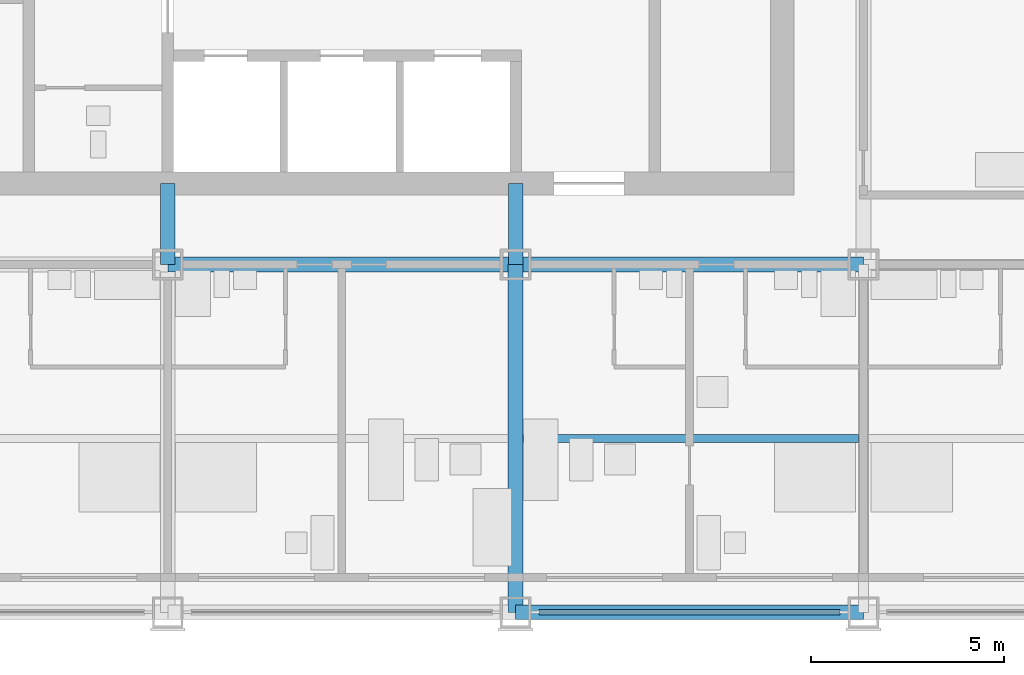
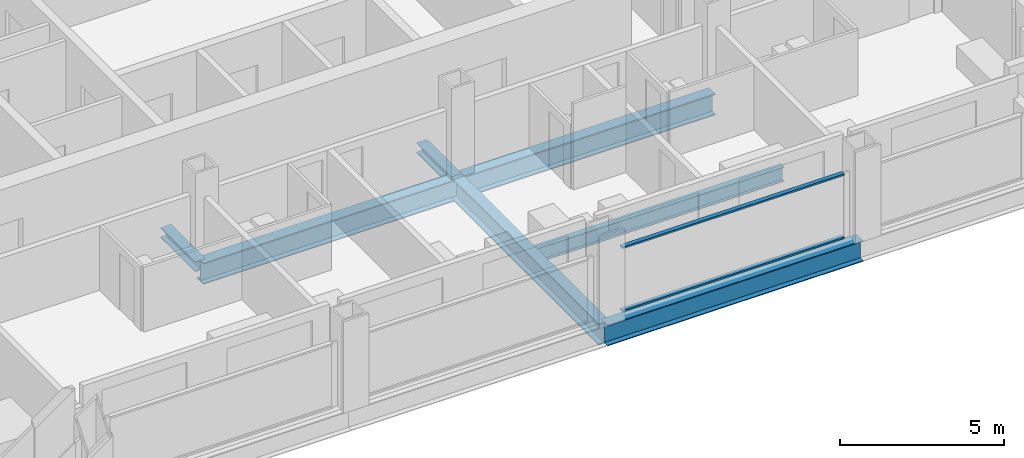
# One storey, part 3 of 16: 5 beams, 4 members, 1 element without a shape of its own.
"""IFC4 building model written with IfcOpenShell, lengths in metres."""

from ifc_helpers import new_model, si_unit, direction, frame, origin, origin_2d, place, context, subcontext, project, spatial, rectangle, i_section, extrude, material, material_profile, profile_set, type_object, element, aggregate, save


model = new_model("IFC4")

# Units and contexts
model_context = context("Model", 3, precision=1e-05, world=origin(), true_north=direction((0.0, 1.0)))
body_context = subcontext(model_context, "Body", "Model", "MODEL_VIEW")
ifc_project = project(units=[si_unit("LENGTHUNIT", "METRE"), si_unit("AREAUNIT", "SQUARE_METRE"), si_unit("VOLUMEUNIT", "CUBIC_METRE"), si_unit("PLANEANGLEUNIT", "RADIAN"), si_unit("MASSUNIT", "GRAM", prefix="KILO")], contexts=[model_context])

# Site, building, storey
site_placement = place(None, origin())
site = spatial("IfcSite", under=ifc_project, at=site_placement, CompositionType="ELEMENT")
building_placement = place(site_placement, origin())
building = spatial("IfcBuilding", under=site, at=building_placement, Name="Loomwork Tower", CompositionType="ELEMENT")
storey_placement = place(building_placement, frame((0.0, 0.0, 148.60009765625)))
storey = spatial("IfcBuildingStorey", under=building, at=storey_placement, Name="L40", CompositionType="ELEMENT", Elevation=148.60009765625)

# Beams
ifc_material_1 = material(Name="Steel ASTM A992", Category="steel")
ifc_material_profile_1 = material_profile(ifc_material_1, i_section(OverallWidth=0.383544921875, OverallDepth=0.794921875, WebThickness=0.02099609375, FlangeThickness=0.0380859375, at=origin_2d()), Name="W30x235")
ifc_profile_set_1 = profile_set([ifc_material_profile_1], Name="Steel ASTM A992")
beam_type_1 = type_object("IfcBeamType", Name="CORE FLANK GIRDER W30x235", PredefinedType="BEAM", material=ifc_profile_set_1)
for number, where, z_axis, x_axis, name in (
    (1, (18.0, 9.0, -0.59765625), (1.0, 0.0, 0.0), (0.0, 1.0, 0.0), "Core Flank Girder E/4-E/5 L40"),
    (2, (27.0, 9.0, -0.59765625), (1.0, 0.0, 0.0), (0.0, 1.0, 0.0), "Core Flank Girder E/5-E/6 L40"),
    (3, (27.0, 0.0, -0.59765625), (0.0, 1.0, 0.0), (-1.0, 0.0, 0.0), "Core Flank Girder D/5-E/5 L40"),
):
    element("IfcBeam", number, at=place(storey_placement, frame(where, z_axis=z_axis, x_axis=x_axis)), inside=storey, type_object=beam_type_1, Name=name, PredefinedType="BEAM", context=body_context, shape_type="SweptSolid", body=[
        extrude(i_section(OverallWidth=0.383544921875, OverallDepth=0.794921875, WebThickness=0.02099609375, FlangeThickness=0.0380859375, at=origin_2d()), origin(), (0.0, 0.0, 1.0), 9.0),
    ])

# Members
ifc_material_2 = material(Name="Steel ASTM A992", Category="steel")
ifc_material_profile_2 = material_profile(ifc_material_2, i_section(OverallWidth=0.373291015625, OverallDepth=0.373291015625, WebThickness=0.016357421875, FlangeThickness=0.026123046875, at=origin_2d()), Name="W14x132")
ifc_profile_set_2 = profile_set([ifc_material_profile_2], Name="Steel ASTM A992")
member_type_1 = type_object("IfcMemberType", Name="CORE LINK STRUT W14x132", PredefinedType="STRUT", material=ifc_profile_set_2)
for number, where, z_axis, x_axis, name in (
    (4, (27.0, 9.0, -0.38671875), (0.0, 1.0, 0.0), (-1.0, 0.0, 0.0), "Core link strut E/5-27.000,11.100 L40"),
    (5, (18.0, 9.0, -0.38671875), (0.0, 1.0, 0.0), (-1.0, 0.0, 0.0), "Core link strut E/4-18.000,11.100 L40"),
):
    element("IfcMember", number, at=place(storey_placement, frame(where, z_axis=z_axis, x_axis=x_axis)), inside=storey, type_object=member_type_1, Name=name, PredefinedType="STRUT", context=body_context, shape_type="SweptSolid", body=[
        extrude(i_section(OverallWidth=0.373291015625, OverallDepth=0.373291015625, WebThickness=0.016357421875, FlangeThickness=0.026123046875, at=origin_2d()), origin(), (0.0, 0.0, 1.0), 2.10009765625),
    ])

# Beam
ifc_material_3 = material(Name="Steel ASTM A992", Category="steel")
ifc_material_profile_3 = material_profile(ifc_material_3, i_section(OverallWidth=0.2109375, OverallDepth=0.53857421875, WebThickness=0.011474609375, FlangeThickness=0.018798828125, at=origin_2d()), Name="W21x73")
ifc_profile_set_3 = profile_set([ifc_material_profile_3], Name="Steel ASTM A992")
beam_type_2 = type_object("IfcBeamType", Name="FLOOR JOIST W21x73", PredefinedType="JOIST", material=ifc_profile_set_3)
beam_1_placement = place(storey_placement, frame((27.19091796875, 4.5, -0.46923828125), z_axis=(1.0, 0.0, 0.0), x_axis=(0.0, 1.0, 0.0)))
element("IfcBeam", 6, at=beam_1_placement, inside=storey, type_object=beam_type_2, Name="Floor Joist 27.000,4.500-36.000,4.500 L40", PredefinedType="JOIST", context=body_context, shape_type="SweptSolid", body=[
    extrude(i_section(OverallWidth=0.2109375, OverallDepth=0.53857421875, WebThickness=0.011474609375, FlangeThickness=0.018798828125, at=origin_2d()), origin(), (0.0, 0.0, 1.0), 8.676025390625),
])

# Curtain wall, members
ifc_material_4 = material(Name="Aluminium curtain wall frame", Category="aluminium")
curtain_wall_type = type_object("IfcCurtainWallType", Name="Outer skin glazing hotel", PredefinedType="NOTDEFINED", material=ifc_material_4)
curtain_wall_placement = place(storey_placement, origin())
curtain_wall = element("IfcCurtainWall", 7, at=curtain_wall_placement, inside=storey, type_object=curtain_wall_type, Name="Outer skin glazing hotel cw/S-27", PredefinedType="NOTDEFINED")
ifc_material_5 = material(Name="Aluminium curtain wall frame", Category="aluminium")
ifc_material_profile_4 = material_profile(ifc_material_5, rectangle(XDim=0.14990234375, YDim=0.06494140625, at=origin_2d()), Name="AL 65x150")
ifc_profile_set_4 = profile_set([ifc_material_profile_4], Name="Aluminium curtain wall frame")
member_type_2 = type_object("IfcMemberType", Name="Outer skin glazing hotel transom", PredefinedType="USERDEFINED", material=ifc_profile_set_4)
member_1_placement = place(storey_placement, frame((27.60009765625, 0.0, 0.032470703125), z_axis=(1.0, 0.0, 0.0), x_axis=(0.0, 1.0, 0.0)))
member_1 = element("IfcMember", 8, at=member_1_placement, type_object=member_type_2, Name="CW1 transom 1.1", ObjectType="TRANSOM", PredefinedType="USERDEFINED", context=body_context, shape_type="SweptSolid", body=[
    extrude(rectangle(XDim=0.14990234375, YDim=0.06494140625, at=origin_2d()), origin(), (0.0, 0.0, 1.0), 7.7998046875),
])
member_2_placement = place(storey_placement, frame((27.60009765625, 0.0, 2.3876953125), z_axis=(1.0, 0.0, 0.0), x_axis=(0.0, 1.0, 0.0)))
member_2 = element("IfcMember", 9, at=member_2_placement, type_object=member_type_2, Name="CW1 transom 1.2", ObjectType="TRANSOM", PredefinedType="USERDEFINED", context=body_context, shape_type="SweptSolid", body=[
    extrude(rectangle(XDim=0.14990234375, YDim=0.06494140625, at=origin_2d()), origin(), (0.0, 0.0, 1.0), 7.7998046875),
])
aggregate(curtain_wall, [member_1, member_2])

# Beam
ifc_material_6 = material(Name="Steel ASTM A992", Category="steel")
ifc_material_profile_5 = material_profile(ifc_material_6, i_section(OverallWidth=0.381103515625, OverallDepth=0.77978515625, WebThickness=0.01806640625, FlangeThickness=0.0302734375, at=origin_2d()), Name="W30x191")
ifc_profile_set_5 = profile_set([ifc_material_profile_5], Name="Steel ASTM A992")
beam_type_3 = type_object("IfcBeamType", Name="SPANDREL GIRDER W30x191", PredefinedType="SPANDREL", material=ifc_profile_set_5)
beam_2_placement = place(storey_placement, frame((27.0, 0.0, -0.590087890625), z_axis=(1.0, 0.0, 0.0), x_axis=(0.0, 1.0, 0.0)))
element("IfcBeam", 10, at=beam_2_placement, inside=storey, type_object=beam_type_3, Name="Spandrel Girder D/5-D/6 L40", PredefinedType="SPANDREL", context=body_context, shape_type="SweptSolid", body=[
    extrude(i_section(OverallWidth=0.381103515625, OverallDepth=0.77978515625, WebThickness=0.01806640625, FlangeThickness=0.0302734375, at=origin_2d()), origin(), (0.0, 0.0, 1.0), 9.0),
])

save(model, "model.ifc")
